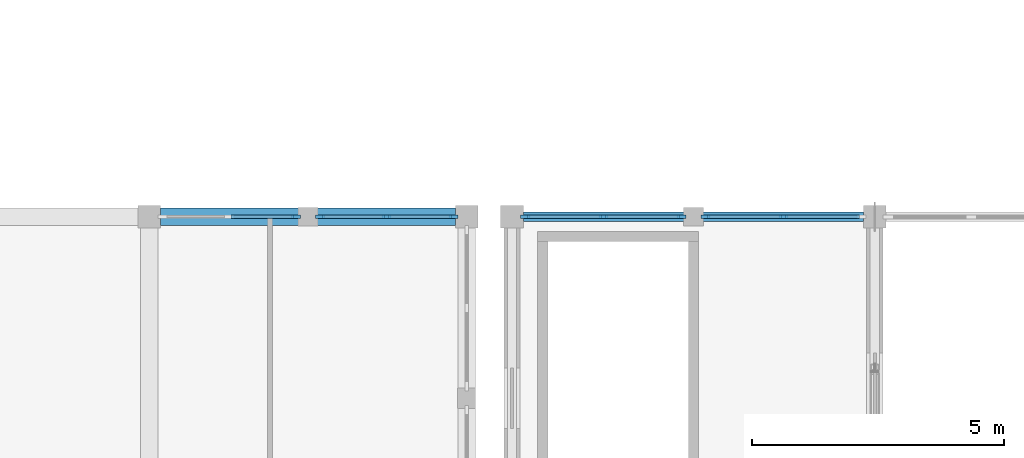
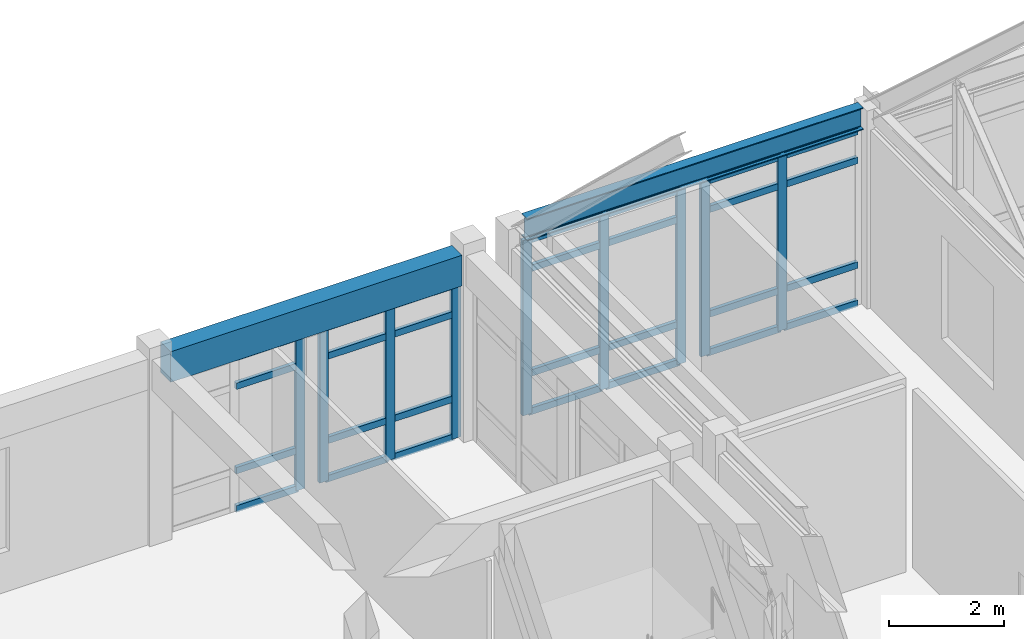
# One storey, part 42 of 136: 37 members, 2 beams, 4 elements without a shape of their own.
"""IFC4 building model written with IfcOpenShell, lengths in metres."""

import ifcopenshell
import ifcopenshell.guid

model = None  # the IFC model being written
_history = None  # IfcOwnerHistory: only IFC2X3 demands one
_inside = {}  # id of a spatial element -> (the spatial element, [elements in it])
_under = {}  # id of a project, library or spatial element -> (it, [spatial elements below it])
_declared = {}  # id of a project -> (the project, [libraries it declares])
_typed = {}  # id of a type object -> (the type object, [elements of that type])
_made_of = {}  # id of a material, layer set ... -> (it, [elements and type objects made of it])


def new_model(schema):
    """Start an empty IFC model of exactly this schema.

    Asked for "IFC4X3", IfcOpenShell would pick the latest addendum, in which some entities
    have other attributes; the version numbers below select the first issue.
    IFC2X3 requires an IfcOwnerHistory on every rooted entity: one is made here for all.
    """
    global model, _history
    if schema == "IFC4X3":
        model = ifcopenshell.file(schema_version=(4, 3, 0, 0))
    else:
        model = ifcopenshell.file(schema=schema)
    _inside.clear()
    _under.clear()
    _declared.clear()
    _typed.clear()
    _made_of.clear()
    _history = None
    if model.schema == "IFC2X3":
        org = make("IfcOrganization", Name="unknown")
        user = make(
            "IfcPersonAndOrganization",
            ThePerson=make("IfcPerson", FamilyName="unknown"),
            TheOrganization=org,
        )
        app = make(
            "IfcApplication",
            ApplicationDeveloper=org,
            Version="unknown",
            ApplicationFullName="unknown",
            ApplicationIdentifier="unknown",
        )
        _history = make(
            "IfcOwnerHistory",
            OwningUser=user,
            OwningApplication=app,
            ChangeAction="ADDED",
            CreationDate=0,
        )
    return model


def make(cls, **values):
    """One entity of the class cls with the attributes given. An attribute that is None is left unset."""
    return model.create_entity(
        cls, **{name: value for name, value in values.items() if value is not None}
    )


def rooted(cls, **values):
    """An entity with a GlobalId (a new one), such as an element, a storey or a relation."""
    return make(cls, GlobalId=ifcopenshell.guid.new(), OwnerHistory=_history, **values)


def si_unit(unit_type, name, prefix=None):
    """IfcSIUnit, for example si_unit("LENGTHUNIT", "METRE", prefix="MILLI")."""
    return make("IfcSIUnit", UnitType=unit_type, Prefix=prefix, Name=name)


def assignment(units):
    """IfcUnitAssignment: the units of a project."""
    return None if units is None else make("IfcUnitAssignment", Units=units)


def point(xyz):
    """IfcCartesianPoint."""
    return None if xyz is None else make("IfcCartesianPoint", Coordinates=xyz)


def direction(xyz):
    """IfcDirection."""
    return None if xyz is None else make("IfcDirection", DirectionRatios=xyz)


def frame(location, z_axis=None, x_axis=None):
    """IfcAxis2Placement3D, a coordinate frame: its origin and axes. An axis left out is left unset."""
    return make(
        "IfcAxis2Placement3D",
        Location=point(location),
        Axis=direction(z_axis),
        RefDirection=direction(x_axis),
    )


def frame_2d(location, x_axis=None):
    """IfcAxis2Placement2D, a coordinate frame in the plane: its origin and x axis."""
    return make(
        "IfcAxis2Placement2D", Location=point(location), RefDirection=direction(x_axis)
    )


def origin():
    """The frame at (0, 0, 0) with its axes left unset."""
    return frame((0.0, 0.0, 0.0))


def origin_2d():
    """The frame at (0, 0) in the plane with its x axis left unset."""
    return frame_2d((0.0, 0.0))


def place(relative_to, where):
    """IfcLocalPlacement: puts the frame where relative to a parent placement (None: the world)."""
    return make(
        "IfcLocalPlacement", PlacementRelTo=relative_to, RelativePlacement=where
    )


def context(
    kind, dimensions, precision=None, world=None, true_north=None, identifier=None
):
    """IfcGeometricRepresentationContext, for example the 3D "Model" context."""
    return make(
        "IfcGeometricRepresentationContext",
        ContextIdentifier=identifier,
        ContextType=kind,
        CoordinateSpaceDimension=dimensions,
        Precision=precision,
        WorldCoordinateSystem=world,
        TrueNorth=true_north,
    )


def subcontext(parent, identifier, kind, view, scale=None):
    """IfcGeometricRepresentationSubContext, for example "Body" below "Model"."""
    return make(
        "IfcGeometricRepresentationSubContext",
        ContextIdentifier=identifier,
        ContextType=kind,
        ParentContext=parent,
        TargetScale=scale,
        TargetView=view,
    )


def project(units=None, contexts=None):
    """IfcProject with its units and contexts."""
    return rooted(
        "IfcProject",
        Name="project",
        RepresentationContexts=contexts,
        UnitsInContext=assignment(units),
    )


def spatial(cls, under=None, at=None, **own):
    """A site, building, storey or space (cls), placed at a placement, below another one or the project."""
    s = rooted(cls, ObjectPlacement=at, **own)
    if under is not None:
        _under.setdefault(under.id(), (under, []))[1].append(s)
    return s


def profile(cls, at=None, kind="AREA", **sizes):
    """A parametric profile (cls). Its sizes go by their IFC names, for example OverallWidth=200.0."""
    return make(cls, ProfileType=kind, Position=at, **sizes)


def rectangle(**sizes):
    """IfcRectangleProfileDef."""
    return profile("IfcRectangleProfileDef", **sizes)


def i_section(**sizes):
    """IfcIShapeProfileDef."""
    return profile("IfcIShapeProfileDef", **sizes)


def extrude(swept, where, along, depth):
    """IfcExtrudedAreaSolid: the profile swept, set in the frame where, extruded along a direction by depth."""
    return make(
        "IfcExtrudedAreaSolid",
        SweptArea=swept,
        Position=where,
        ExtrudedDirection=direction(along),
        Depth=depth,
    )


def shape(context_of_items, identifier, shape_type, items):
    """IfcShapeRepresentation: the items that make up one representation, for example the "Body"."""
    return make(
        "IfcShapeRepresentation",
        ContextOfItems=context_of_items,
        RepresentationIdentifier=identifier,
        RepresentationType=shape_type,
        Items=items,
    )


def material(Name=None, Category=None):
    """IfcMaterial."""
    return make("IfcMaterial", Name=Name, Category=Category)


def layer(
    of_material, thickness, ventilated=None, Name=None, Category=None, Priority=None
):
    """IfcMaterialLayer: one layer of a wall or slab, of a material (None: an air gap)."""
    return make(
        "IfcMaterialLayer",
        Material=of_material,
        LayerThickness=thickness,
        IsVentilated=ventilated,
        Name=Name,
        Category=Category,
        Priority=Priority,
    )


def layer_set(layers, Name=None):
    """IfcMaterialLayerSet."""
    return make("IfcMaterialLayerSet", MaterialLayers=layers, LayerSetName=Name)


def material_profile(
    of_material, cross_section, Name=None, Category=None, Priority=None
):
    """IfcMaterialProfile: a cross section and its material."""
    return make(
        "IfcMaterialProfile",
        Name=Name,
        Material=of_material,
        Profile=cross_section,
        Priority=Priority,
        Category=Category,
    )


def profile_set(profiles, Name=None, composite=None):
    """IfcMaterialProfileSet."""
    return make(
        "IfcMaterialProfileSet",
        Name=Name,
        MaterialProfiles=profiles,
        CompositeProfile=composite,
    )


def made_of(thing, what):
    """Note that an element or type object is made of a material, layer set ...; save() writes the relation."""
    if what is not None:
        _made_of.setdefault(what.id(), (what, []))[1].append(thing)
    return thing


def type_object(cls, material=None, **own):
    """A type object (cls), such as IfcWallType, which elements share."""
    return made_of(rooted(cls, **own), material)


def element(
    cls,
    number,
    at=None,
    inside=None,
    cuts=None,
    type_object=None,
    material=None,
    context=None,
    identifier="Body",
    shape_type=None,
    held_by="IfcProductDefinitionShape",
    body=None,
    shapes=None,
    **own,
):
    """One element of the class cls, such as IfcWall. Its Tag is "e" and its number.

    at: its placement. inside: the storey or other place that contains it. cuts: it is an
    opening in that element (IfcRelVoidsElement). A single representation is given by context,
    identifier, shape_type and body (its items); several are given by shapes. held_by: the class
    of the entity that holds the representations. save() writes the other relations.
    """
    e = rooted(cls, Tag="e%d" % number, ObjectPlacement=at, **own)
    if body is not None:
        shapes = [shape(context, identifier, shape_type, body)]
    if shapes is not None:
        e.Representation = make(held_by, Representations=shapes)
    if inside is not None:
        _inside.setdefault(inside.id(), (inside, []))[1].append(e)
    if cuts is not None:
        rooted(
            "IfcRelVoidsElement", RelatingBuildingElement=cuts, RelatedOpeningElement=e
        )
    if type_object is not None:
        _typed.setdefault(type_object.id(), (type_object, []))[1].append(e)
    return made_of(e, material)


def aggregate(whole, parts):
    """IfcRelAggregates: a whole, such as a stair, and the parts it consists of."""
    return rooted("IfcRelAggregates", RelatingObject=whole, RelatedObjects=parts)


def save(model, path):
    """Write the relations noted so far, then the file.

    IfcRelAggregates (storeys below a building ...), IfcRelContainedInSpatialStructure (elements
    in a storey), IfcRelDefinesByType, IfcRelAssociatesMaterial and IfcRelDeclares: one each for
    every whole, place, type object, material and project.
    """
    for whole, parts in _under.values():
        aggregate(whole, parts)
    for where, things in _inside.values():
        rooted(
            "IfcRelContainedInSpatialStructure",
            RelatedElements=things,
            RelatingStructure=where,
        )
    for kind, things in _typed.values():
        rooted("IfcRelDefinesByType", RelatedObjects=things, RelatingType=kind)
    for what, things in _made_of.values():
        rooted("IfcRelAssociatesMaterial", RelatedObjects=things, RelatingMaterial=what)
    for by, libraries in _declared.values():
        rooted("IfcRelDeclares", RelatingContext=by, RelatedDefinitions=libraries)
    model.write(path)


model = new_model("IFC4")

# Units and contexts
model_context = context("Model", 3, precision=1e-05, world=origin(), true_north=direction((0.0, 1.0)))
body_context = subcontext(model_context, "Body", "Model", "MODEL_VIEW")
ifc_project = project(units=[si_unit("LENGTHUNIT", "METRE"), si_unit("AREAUNIT", "SQUARE_METRE"), si_unit("VOLUMEUNIT", "CUBIC_METRE"), si_unit("PLANEANGLEUNIT", "RADIAN"), si_unit("MASSUNIT", "GRAM", prefix="KILO")], contexts=[model_context])

# Site, building, storey
site_placement = place(None, origin())
site = spatial("IfcSite", under=ifc_project, at=site_placement, CompositionType="ELEMENT")
building_placement = place(site_placement, origin())
building = spatial("IfcBuilding", under=site, at=building_placement, Name="Koriwan Promenade Central Fire Station", CompositionType="ELEMENT")
storey_placement = place(building_placement, frame((0.0, 0.0, 5.39990234375)))
storey = spatial("IfcBuildingStorey", under=building, at=storey_placement, Name="L01", CompositionType="ELEMENT", Elevation=5.39990234375)

# Beam
ifc_material_1 = material(Name="Concrete C35/45", Category="concrete")
ifc_material_profile_1 = material_profile(ifc_material_1, rectangle(XDim=0.35009765625, YDim=0.64990234375, at=origin_2d()), Name="RC-SP-350x650")
ifc_profile_set_1 = profile_set([ifc_material_profile_1], Name="Concrete C35/45")
beam_type_1 = type_object("IfcBeamType", Name="Beam_RC-SP-350x650", PredefinedType="SPANDREL", material=ifc_profile_set_1)
beam_1_placement = place(storey_placement, frame((50.625, 72.0, 3.625), z_axis=(1.0, 0.0, 0.0), x_axis=(0.0, 1.0, 0.0)))
element("IfcBeam", 1, at=beam_1_placement, inside=storey, type_object=beam_type_1, Name="V4 L01 girder X-431", PredefinedType="SPANDREL", context=body_context, shape_type="SweptSolid", body=[
    extrude(rectangle(XDim=0.35009765625, YDim=0.64990234375, at=origin_2d()), origin(), (0.0, 0.0, 1.0), 5.85009765625),
])

# Curtain wall, members
ifc_material_2 = material(Name="Aluminium EN AW-6063-T6 and low-E glazing", Category="aluminium")
ifc_layer_1 = layer(ifc_material_2, 0.159912109375, Name="Aluminium EN AW-6063-T6 and low-E glazing")
ifc_layer_set_1 = layer_set([ifc_layer_1], Name="Aluminium EN AW-6063-T6 and low-E glazing")
curtain_wall_type_1 = type_object("IfcCurtainWallType", Name="CurtainWall_01_317x372", PredefinedType="USERDEFINED", material=ifc_layer_set_1)
curtain_wall_1_placement = place(storey_placement, origin())
curtain_wall_1 = element("IfcCurtainWall", 2, at=curtain_wall_1_placement, inside=storey, type_object=curtain_wall_type_1, Name="V1 L01 unitised curtain wall 001", ObjectType="UNITISED CURTAIN WALL", PredefinedType="USERDEFINED")
ifc_material_3 = material(Name="Aluminium EN AW-6063-T6", Category="aluminium")
ifc_material_profile_2 = material_profile(ifc_material_3, rectangle(XDim=0.074951171875, YDim=0.179931640625, at=origin_2d()), Name="ALU-MUL-75x180")
ifc_profile_set_2 = profile_set([ifc_material_profile_2], Name="Aluminium EN AW-6063-T6")
member_type_1 = type_object("IfcMemberType", Name="CWMullion_ALU-MUL-75x180", PredefinedType="MULLION", material=ifc_profile_set_2)
member_1_placement = place(storey_placement, frame((57.862548828125, 72.0, 0.0), z_axis=(0.0, 0.0, 1.0), x_axis=(0.0, 1.0, 0.0)))
member_1 = element("IfcMember", 3, at=member_1_placement, type_object=member_type_1, Name="CW-01 mullion 1", PredefinedType="MULLION", context=body_context, shape_type="SweptSolid", body=[
    extrude(rectangle(XDim=0.074951171875, YDim=0.179931640625, at=origin_2d()), origin(), (0.0, 0.0, 1.0), 3.72119140625),
])
member_2_placement = place(storey_placement, frame((59.41259765625, 72.0, 0.0), z_axis=(0.0, 0.0, 1.0), x_axis=(0.0, 1.0, 0.0)))
member_2 = element("IfcMember", 4, at=member_2_placement, type_object=member_type_1, Name="CW-01 mullion 2", PredefinedType="MULLION", context=body_context, shape_type="SweptSolid", body=[
    extrude(rectangle(XDim=0.074951171875, YDim=0.179931640625, at=origin_2d()), origin(), (0.0, 0.0, 1.0), 3.72119140625),
])
member_3_placement = place(storey_placement, frame((60.96240234375, 72.0, 0.0), z_axis=(0.0, 0.0, 1.0), x_axis=(0.0, 1.0, 0.0)))
member_3 = element("IfcMember", 5, at=member_3_placement, type_object=member_type_1, Name="CW-01 mullion 3", PredefinedType="MULLION", context=body_context, shape_type="SweptSolid", body=[
    extrude(rectangle(XDim=0.074951171875, YDim=0.179931640625, at=origin_2d()), origin(), (0.0, 0.0, 1.0), 3.72119140625),
])

ifc_layer_2 = layer(ifc_material_2, 0.159912109375, Name="Aluminium EN AW-6063-T6 and low-E glazing")
ifc_layer_set_2 = layer_set([ifc_layer_2], Name="Aluminium EN AW-6063-T6 and low-E glazing")
curtain_wall_type_2 = type_object("IfcCurtainWallType", Name="CurtainWall_02_318x372", PredefinedType="USERDEFINED", material=ifc_layer_set_2)
curtain_wall_2_placement = place(storey_placement, origin())
curtain_wall_2 = element("IfcCurtainWall", 6, at=curtain_wall_2_placement, inside=storey, type_object=curtain_wall_type_2, Name="V1 L01 unitised curtain wall 002", ObjectType="UNITISED CURTAIN WALL", PredefinedType="USERDEFINED")
member_4_placement = place(storey_placement, frame((61.4375, 72.0, 0.0), z_axis=(0.0, 0.0, 1.0), x_axis=(0.0, 1.0, 0.0)))
member_4 = element("IfcMember", 7, at=member_4_placement, type_object=member_type_1, Name="CW-02 mullion 1", PredefinedType="MULLION", context=body_context, shape_type="SweptSolid", body=[
    extrude(rectangle(XDim=0.074951171875, YDim=0.179931640625, at=origin_2d()), origin(), (0.0, 0.0, 1.0), 3.72119140625),
])
member_5_placement = place(storey_placement, frame((62.987548828125, 72.0, 0.0), z_axis=(0.0, 0.0, 1.0), x_axis=(0.0, 1.0, 0.0)))
member_5 = element("IfcMember", 8, at=member_5_placement, type_object=member_type_1, Name="CW-02 mullion 2", PredefinedType="MULLION", context=body_context, shape_type="SweptSolid", body=[
    extrude(rectangle(XDim=0.074951171875, YDim=0.179931640625, at=origin_2d()), origin(), (0.0, 0.0, 1.0), 3.72119140625),
])

ifc_layer_3 = layer(ifc_material_2, 0.159912109375, Name="Aluminium EN AW-6063-T6 and low-E glazing")
ifc_layer_set_3 = layer_set([ifc_layer_3], Name="Aluminium EN AW-6063-T6 and low-E glazing")
curtain_wall_type_3 = type_object("IfcCurtainWallType", Name="CurtainWall_47_273x329", PredefinedType="USERDEFINED", material=ifc_layer_set_3)
curtain_wall_3_placement = place(storey_placement, origin())
curtain_wall_3 = element("IfcCurtainWall", 9, at=curtain_wall_3_placement, inside=storey, type_object=curtain_wall_type_3, Name="V4 L01 unitised curtain wall 117", ObjectType="UNITISED CURTAIN WALL", PredefinedType="USERDEFINED")
member_6_placement = place(storey_placement, frame((56.4375, 72.0, 0.0), z_axis=(0.0, 0.0, 1.0), x_axis=(0.0, -1.0, 0.0)))
member_6 = element("IfcMember", 10, at=member_6_placement, type_object=member_type_1, Name="CW-47 mullion 1", PredefinedType="MULLION", context=body_context, shape_type="SweptSolid", body=[
    extrude(rectangle(XDim=0.074951171875, YDim=0.179931640625, at=origin_2d()), origin(), (0.0, 0.0, 1.0), 3.2900390625),
])
member_7_placement = place(storey_placement, frame((55.112548828125, 72.0, 0.0), z_axis=(0.0, 0.0, 1.0), x_axis=(0.0, -1.0, 0.0)))
member_7 = element("IfcMember", 11, at=member_7_placement, type_object=member_type_1, Name="CW-47 mullion 2", PredefinedType="MULLION", context=body_context, shape_type="SweptSolid", body=[
    extrude(rectangle(XDim=0.074951171875, YDim=0.179931640625, at=origin_2d()), origin(), (0.0, 0.0, 1.0), 3.2900390625),
])
member_8_placement = place(storey_placement, frame((53.78759765625, 72.0, 0.0), z_axis=(0.0, 0.0, 1.0), x_axis=(0.0, -1.0, 0.0)))
member_8 = element("IfcMember", 12, at=member_8_placement, type_object=member_type_1, Name="CW-47 mullion 3", PredefinedType="MULLION", context=body_context, shape_type="SweptSolid", body=[
    extrude(rectangle(XDim=0.074951171875, YDim=0.179931640625, at=origin_2d()), origin(), (0.0, 0.0, 1.0), 3.2900390625),
])

# Curtain wall, member
curtain_wall_4_placement = place(storey_placement, origin())
curtain_wall_4 = element("IfcCurtainWall", 13, at=curtain_wall_4_placement, inside=storey, type_object=curtain_wall_type_3, Name="V4 L01 unitised curtain wall 118", ObjectType="UNITISED CURTAIN WALL", PredefinedType="USERDEFINED")
member_9_placement = place(storey_placement, frame((53.3125, 72.0, 0.0), z_axis=(0.0, 0.0, 1.0), x_axis=(0.0, -1.0, 0.0)))
member_9 = element("IfcMember", 14, at=member_9_placement, type_object=member_type_1, Name="CW-47 mullion 1", PredefinedType="MULLION", context=body_context, shape_type="SweptSolid", body=[
    extrude(rectangle(XDim=0.074951171875, YDim=0.179931640625, at=origin_2d()), origin(), (0.0, 0.0, 1.0), 3.2900390625),
])

# Member
ifc_material_profile_3 = material_profile(ifc_material_3, rectangle(XDim=0.074951171875, YDim=0.139892578125, at=origin_2d()), Name="ALU-TRN-75x140")
ifc_profile_set_3 = profile_set([ifc_material_profile_3], Name="Aluminium EN AW-6063-T6")
member_type_2 = type_object("IfcMemberType", Name="CWTransom_ALU-TRN-75x140", PredefinedType="USERDEFINED", material=ifc_profile_set_3)
member_10_placement = place(storey_placement, frame((57.89990234375, 72.0, 0.03759765625), z_axis=(1.0, 0.0, 0.0), x_axis=(0.0, 1.0, 0.0)))
member_10 = element("IfcMember", 15, at=member_10_placement, type_object=member_type_2, Name="CW-01 transom 1.1", ObjectType="TRANSOM", PredefinedType="USERDEFINED", context=body_context, shape_type="SweptSolid", body=[
    extrude(rectangle(XDim=0.074951171875, YDim=0.139892578125, at=origin_2d()), origin(), (0.0, 0.0, 1.0), 1.47509765625),
])

member_11_placement = place(storey_placement, frame((57.89990234375, 72.0, 0.85009765625), z_axis=(1.0, 0.0, 0.0), x_axis=(0.0, 1.0, 0.0)))
member_11 = element("IfcMember", 16, at=member_11_placement, type_object=member_type_2, Name="CW-01 transom 1.2", ObjectType="TRANSOM", PredefinedType="USERDEFINED", context=body_context, shape_type="SweptSolid", body=[
    extrude(rectangle(XDim=0.074951171875, YDim=0.139892578125, at=origin_2d()), origin(), (0.0, 0.0, 1.0), 1.47509765625),
])

member_12_placement = place(storey_placement, frame((57.89990234375, 72.0, 3.071044921875), z_axis=(1.0, 0.0, 0.0), x_axis=(0.0, 1.0, 0.0)))
member_12 = element("IfcMember", 17, at=member_12_placement, type_object=member_type_2, Name="CW-01 transom 1.3", ObjectType="TRANSOM", PredefinedType="USERDEFINED", context=body_context, shape_type="SweptSolid", body=[
    extrude(rectangle(XDim=0.074951171875, YDim=0.139892578125, at=origin_2d()), origin(), (0.0, 0.0, 1.0), 1.47509765625),
])

member_13_placement = place(storey_placement, frame((57.89990234375, 72.0, 3.68359375), z_axis=(1.0, 0.0, 0.0), x_axis=(0.0, 1.0, 0.0)))
member_13 = element("IfcMember", 18, at=member_13_placement, type_object=member_type_2, Name="CW-01 transom 1.4", ObjectType="TRANSOM", PredefinedType="USERDEFINED", context=body_context, shape_type="SweptSolid", body=[
    extrude(rectangle(XDim=0.074951171875, YDim=0.139892578125, at=origin_2d()), origin(), (0.0, 0.0, 1.0), 1.47509765625),
])

member_14_placement = place(storey_placement, frame((59.449951171875, 72.0, 0.03759765625), z_axis=(1.0, 0.0, 0.0), x_axis=(0.0, 1.0, 0.0)))
member_14 = element("IfcMember", 19, at=member_14_placement, type_object=member_type_2, Name="CW-01 transom 2.1", ObjectType="TRANSOM", PredefinedType="USERDEFINED", context=body_context, shape_type="SweptSolid", body=[
    extrude(rectangle(XDim=0.074951171875, YDim=0.139892578125, at=origin_2d()), origin(), (0.0, 0.0, 1.0), 1.47509765625),
])

member_15_placement = place(storey_placement, frame((59.449951171875, 72.0, 0.85009765625), z_axis=(1.0, 0.0, 0.0), x_axis=(0.0, 1.0, 0.0)))
member_15 = element("IfcMember", 20, at=member_15_placement, type_object=member_type_2, Name="CW-01 transom 2.2", ObjectType="TRANSOM", PredefinedType="USERDEFINED", context=body_context, shape_type="SweptSolid", body=[
    extrude(rectangle(XDim=0.074951171875, YDim=0.139892578125, at=origin_2d()), origin(), (0.0, 0.0, 1.0), 1.47509765625),
])

member_16_placement = place(storey_placement, frame((59.449951171875, 72.0, 3.071044921875), z_axis=(1.0, 0.0, 0.0), x_axis=(0.0, 1.0, 0.0)))
member_16 = element("IfcMember", 21, at=member_16_placement, type_object=member_type_2, Name="CW-01 transom 2.3", ObjectType="TRANSOM", PredefinedType="USERDEFINED", context=body_context, shape_type="SweptSolid", body=[
    extrude(rectangle(XDim=0.074951171875, YDim=0.139892578125, at=origin_2d()), origin(), (0.0, 0.0, 1.0), 1.47509765625),
])

member_17_placement = place(storey_placement, frame((59.449951171875, 72.0, 3.68359375), z_axis=(1.0, 0.0, 0.0), x_axis=(0.0, 1.0, 0.0)))
member_17 = element("IfcMember", 22, at=member_17_placement, type_object=member_type_2, Name="CW-01 transom 2.4", ObjectType="TRANSOM", PredefinedType="USERDEFINED", context=body_context, shape_type="SweptSolid", body=[
    extrude(rectangle(XDim=0.074951171875, YDim=0.139892578125, at=origin_2d()), origin(), (0.0, 0.0, 1.0), 1.47509765625),
])

aggregate(curtain_wall_1, [member_1, member_2, member_3, member_10, member_11, member_12, member_13, member_14, member_15, member_16, member_17])

member_18_placement = place(storey_placement, frame((61.47509765625, 72.0, 0.03759765625), z_axis=(1.0, 0.0, 0.0), x_axis=(0.0, 1.0, 0.0)))
member_18 = element("IfcMember", 23, at=member_18_placement, type_object=member_type_2, Name="CW-02 transom 1.1", ObjectType="TRANSOM", PredefinedType="USERDEFINED", context=body_context, shape_type="SweptSolid", body=[
    extrude(rectangle(XDim=0.074951171875, YDim=0.139892578125, at=origin_2d()), origin(), (0.0, 0.0, 1.0), 1.474853515625),
])

member_19_placement = place(storey_placement, frame((61.47509765625, 72.0, 0.85009765625), z_axis=(1.0, 0.0, 0.0), x_axis=(0.0, 1.0, 0.0)))
member_19 = element("IfcMember", 24, at=member_19_placement, type_object=member_type_2, Name="CW-02 transom 1.2", ObjectType="TRANSOM", PredefinedType="USERDEFINED", context=body_context, shape_type="SweptSolid", body=[
    extrude(rectangle(XDim=0.074951171875, YDim=0.139892578125, at=origin_2d()), origin(), (0.0, 0.0, 1.0), 1.474853515625),
])

member_20_placement = place(storey_placement, frame((61.47509765625, 72.0, 3.071044921875), z_axis=(1.0, 0.0, 0.0), x_axis=(0.0, 1.0, 0.0)))
member_20 = element("IfcMember", 25, at=member_20_placement, type_object=member_type_2, Name="CW-02 transom 1.3", ObjectType="TRANSOM", PredefinedType="USERDEFINED", context=body_context, shape_type="SweptSolid", body=[
    extrude(rectangle(XDim=0.074951171875, YDim=0.139892578125, at=origin_2d()), origin(), (0.0, 0.0, 1.0), 1.474853515625),
])

member_21_placement = place(storey_placement, frame((61.47509765625, 72.0, 3.68359375), z_axis=(1.0, 0.0, 0.0), x_axis=(0.0, 1.0, 0.0)))
member_21 = element("IfcMember", 26, at=member_21_placement, type_object=member_type_2, Name="CW-02 transom 1.4", ObjectType="TRANSOM", PredefinedType="USERDEFINED", context=body_context, shape_type="SweptSolid", body=[
    extrude(rectangle(XDim=0.074951171875, YDim=0.139892578125, at=origin_2d()), origin(), (0.0, 0.0, 1.0), 1.474853515625),
])

member_22_placement = place(storey_placement, frame((63.02490234375, 72.0, 0.03759765625), z_axis=(1.0, 0.0, 0.0), x_axis=(0.0, 1.0, 0.0)))
member_22 = element("IfcMember", 27, at=member_22_placement, type_object=member_type_2, Name="CW-02 transom 2.1", ObjectType="TRANSOM", PredefinedType="USERDEFINED", context=body_context, shape_type="SweptSolid", body=[
    extrude(rectangle(XDim=0.074951171875, YDim=0.139892578125, at=origin_2d()), origin(), (0.0, 0.0, 1.0), 1.47509765625),
])

member_23_placement = place(storey_placement, frame((63.02490234375, 72.0, 0.85009765625), z_axis=(1.0, 0.0, 0.0), x_axis=(0.0, 1.0, 0.0)))
member_23 = element("IfcMember", 28, at=member_23_placement, type_object=member_type_2, Name="CW-02 transom 2.2", ObjectType="TRANSOM", PredefinedType="USERDEFINED", context=body_context, shape_type="SweptSolid", body=[
    extrude(rectangle(XDim=0.074951171875, YDim=0.139892578125, at=origin_2d()), origin(), (0.0, 0.0, 1.0), 1.47509765625),
])

member_24_placement = place(storey_placement, frame((63.02490234375, 72.0, 3.071044921875), z_axis=(1.0, 0.0, 0.0), x_axis=(0.0, 1.0, 0.0)))
member_24 = element("IfcMember", 29, at=member_24_placement, type_object=member_type_2, Name="CW-02 transom 2.3", ObjectType="TRANSOM", PredefinedType="USERDEFINED", context=body_context, shape_type="SweptSolid", body=[
    extrude(rectangle(XDim=0.074951171875, YDim=0.139892578125, at=origin_2d()), origin(), (0.0, 0.0, 1.0), 1.47509765625),
])

member_25_placement = place(storey_placement, frame((63.02490234375, 72.0, 3.68359375), z_axis=(1.0, 0.0, 0.0), x_axis=(0.0, 1.0, 0.0)))
member_25 = element("IfcMember", 30, at=member_25_placement, type_object=member_type_2, Name="CW-02 transom 2.4", ObjectType="TRANSOM", PredefinedType="USERDEFINED", context=body_context, shape_type="SweptSolid", body=[
    extrude(rectangle(XDim=0.074951171875, YDim=0.139892578125, at=origin_2d()), origin(), (0.0, 0.0, 1.0), 1.47509765625),
])

aggregate(curtain_wall_2, [member_4, member_5, member_18, member_19, member_20, member_21, member_22, member_23, member_24, member_25])

member_26_placement = place(storey_placement, frame((56.39990234375, 72.0, 0.03759765625), z_axis=(-1.0, 0.0, 0.0), x_axis=(0.0, -1.0, 0.0)))
member_26 = element("IfcMember", 31, at=member_26_placement, type_object=member_type_2, Name="CW-47 transom 1.1", ObjectType="TRANSOM", PredefinedType="USERDEFINED", context=body_context, shape_type="SweptSolid", body=[
    extrude(rectangle(XDim=0.074951171875, YDim=0.139892578125, at=origin_2d()), origin(), (0.0, 0.0, 1.0), 1.25),
])

member_27_placement = place(storey_placement, frame((56.39990234375, 72.0, 0.85009765625), z_axis=(-1.0, 0.0, 0.0), x_axis=(0.0, -1.0, 0.0)))
member_27 = element("IfcMember", 32, at=member_27_placement, type_object=member_type_2, Name="CW-47 transom 1.2", ObjectType="TRANSOM", PredefinedType="USERDEFINED", context=body_context, shape_type="SweptSolid", body=[
    extrude(rectangle(XDim=0.074951171875, YDim=0.139892578125, at=origin_2d()), origin(), (0.0, 0.0, 1.0), 1.25),
])

member_28_placement = place(storey_placement, frame((56.39990234375, 72.0, 2.64013671875), z_axis=(-1.0, 0.0, 0.0), x_axis=(0.0, -1.0, 0.0)))
member_28 = element("IfcMember", 33, at=member_28_placement, type_object=member_type_2, Name="CW-47 transom 1.3", ObjectType="TRANSOM", PredefinedType="USERDEFINED", context=body_context, shape_type="SweptSolid", body=[
    extrude(rectangle(XDim=0.074951171875, YDim=0.139892578125, at=origin_2d()), origin(), (0.0, 0.0, 1.0), 1.25),
])

member_29_placement = place(storey_placement, frame((56.39990234375, 72.0, 3.252685546875), z_axis=(-1.0, 0.0, 0.0), x_axis=(0.0, -1.0, 0.0)))
member_29 = element("IfcMember", 34, at=member_29_placement, type_object=member_type_2, Name="CW-47 transom 1.4", ObjectType="TRANSOM", PredefinedType="USERDEFINED", context=body_context, shape_type="SweptSolid", body=[
    extrude(rectangle(XDim=0.074951171875, YDim=0.139892578125, at=origin_2d()), origin(), (0.0, 0.0, 1.0), 1.25),
])

member_30_placement = place(storey_placement, frame((55.074951171875, 72.0, 0.03759765625), z_axis=(-1.0, 0.0, 0.0), x_axis=(0.0, -1.0, 0.0)))
member_30 = element("IfcMember", 35, at=member_30_placement, type_object=member_type_2, Name="CW-47 transom 2.1", ObjectType="TRANSOM", PredefinedType="USERDEFINED", context=body_context, shape_type="SweptSolid", body=[
    extrude(rectangle(XDim=0.074951171875, YDim=0.139892578125, at=origin_2d()), origin(), (0.0, 0.0, 1.0), 1.25),
])

member_31_placement = place(storey_placement, frame((55.074951171875, 72.0, 0.85009765625), z_axis=(-1.0, 0.0, 0.0), x_axis=(0.0, -1.0, 0.0)))
member_31 = element("IfcMember", 36, at=member_31_placement, type_object=member_type_2, Name="CW-47 transom 2.2", ObjectType="TRANSOM", PredefinedType="USERDEFINED", context=body_context, shape_type="SweptSolid", body=[
    extrude(rectangle(XDim=0.074951171875, YDim=0.139892578125, at=origin_2d()), origin(), (0.0, 0.0, 1.0), 1.25),
])

member_32_placement = place(storey_placement, frame((55.074951171875, 72.0, 2.64013671875), z_axis=(-1.0, 0.0, 0.0), x_axis=(0.0, -1.0, 0.0)))
member_32 = element("IfcMember", 37, at=member_32_placement, type_object=member_type_2, Name="CW-47 transom 2.3", ObjectType="TRANSOM", PredefinedType="USERDEFINED", context=body_context, shape_type="SweptSolid", body=[
    extrude(rectangle(XDim=0.074951171875, YDim=0.139892578125, at=origin_2d()), origin(), (0.0, 0.0, 1.0), 1.25),
])

member_33_placement = place(storey_placement, frame((55.074951171875, 72.0, 3.252685546875), z_axis=(-1.0, 0.0, 0.0), x_axis=(0.0, -1.0, 0.0)))
member_33 = element("IfcMember", 38, at=member_33_placement, type_object=member_type_2, Name="CW-47 transom 2.4", ObjectType="TRANSOM", PredefinedType="USERDEFINED", context=body_context, shape_type="SweptSolid", body=[
    extrude(rectangle(XDim=0.074951171875, YDim=0.139892578125, at=origin_2d()), origin(), (0.0, 0.0, 1.0), 1.25),
])

aggregate(curtain_wall_3, [member_6, member_7, member_8, member_26, member_27, member_28, member_29, member_30, member_31, member_32, member_33])

member_34_placement = place(storey_placement, frame((53.27490234375, 72.0, 0.03759765625), z_axis=(-1.0, 0.0, 0.0), x_axis=(0.0, -1.0, 0.0)))
member_34 = element("IfcMember", 39, at=member_34_placement, type_object=member_type_2, Name="CW-47 transom 1.1", ObjectType="TRANSOM", PredefinedType="USERDEFINED", context=body_context, shape_type="SweptSolid", body=[
    extrude(rectangle(XDim=0.074951171875, YDim=0.139892578125, at=origin_2d()), origin(), (0.0, 0.0, 1.0), 1.25),
])

member_35_placement = place(storey_placement, frame((53.27490234375, 72.0, 0.85009765625), z_axis=(-1.0, 0.0, 0.0), x_axis=(0.0, -1.0, 0.0)))
member_35 = element("IfcMember", 40, at=member_35_placement, type_object=member_type_2, Name="CW-47 transom 1.2", ObjectType="TRANSOM", PredefinedType="USERDEFINED", context=body_context, shape_type="SweptSolid", body=[
    extrude(rectangle(XDim=0.074951171875, YDim=0.139892578125, at=origin_2d()), origin(), (0.0, 0.0, 1.0), 1.25),
])

member_36_placement = place(storey_placement, frame((53.27490234375, 72.0, 2.64013671875), z_axis=(-1.0, 0.0, 0.0), x_axis=(0.0, -1.0, 0.0)))
member_36 = element("IfcMember", 41, at=member_36_placement, type_object=member_type_2, Name="CW-47 transom 1.3", ObjectType="TRANSOM", PredefinedType="USERDEFINED", context=body_context, shape_type="SweptSolid", body=[
    extrude(rectangle(XDim=0.074951171875, YDim=0.139892578125, at=origin_2d()), origin(), (0.0, 0.0, 1.0), 1.25),
])

member_37_placement = place(storey_placement, frame((53.27490234375, 72.0, 3.252685546875), z_axis=(-1.0, 0.0, 0.0), x_axis=(0.0, -1.0, 0.0)))
member_37 = element("IfcMember", 42, at=member_37_placement, type_object=member_type_2, Name="CW-47 transom 1.4", ObjectType="TRANSOM", PredefinedType="USERDEFINED", context=body_context, shape_type="SweptSolid", body=[
    extrude(rectangle(XDim=0.074951171875, YDim=0.139892578125, at=origin_2d()), origin(), (0.0, 0.0, 1.0), 1.25),
])

aggregate(curtain_wall_4, [member_9, member_34, member_35, member_36, member_37])

# Beam
ifc_material_4 = material(Name="Steel ASTM A992 Grade 50", Category="steel")
ifc_material_profile_4 = material_profile(ifc_material_4, i_section(OverallWidth=0.194091796875, OverallDepth=0.468994140625, WebThickness=0.0126953125, FlangeThickness=0.0205078125, FilletRadius=0.01806640625, at=origin_2d()), Name="W460x106")
ifc_profile_set_4 = profile_set([ifc_material_profile_4], Name="Steel ASTM A992 Grade 50")
beam_type_2 = type_object("IfcBeamType", Name="SteelBeam_W460x106", PredefinedType="BEAM", material=ifc_profile_set_4)
beam_2_placement = place(storey_placement, frame((57.824951171875, 72.0, 3.965576171875), z_axis=(1.0, 0.0, 0.0), x_axis=(0.0, 1.0, 0.0)))
element("IfcBeam", 43, at=beam_2_placement, inside=storey, type_object=beam_type_2, Name="V1 L01 girder X-54", PredefinedType="BEAM", context=body_context, shape_type="SweptSolid", body=[
    extrude(i_section(OverallWidth=0.194091796875, OverallDepth=0.468994140625, WebThickness=0.0126953125, FlangeThickness=0.0205078125, FilletRadius=0.01806640625, at=origin_2d()), origin(), (0.0, 0.0, 1.0), 6.75),
])

save(model, "model.ifc")
